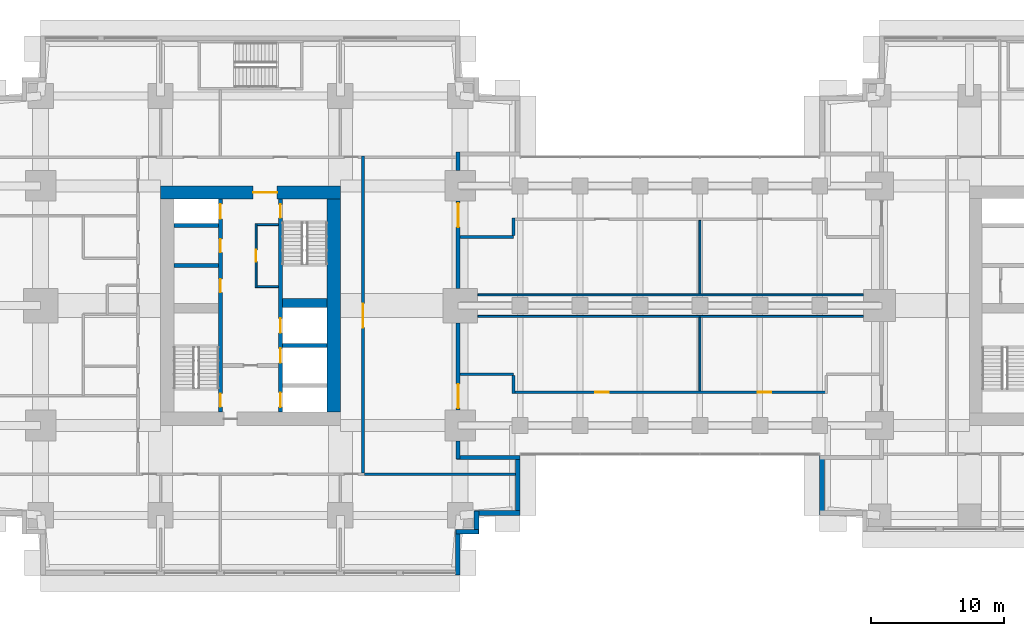
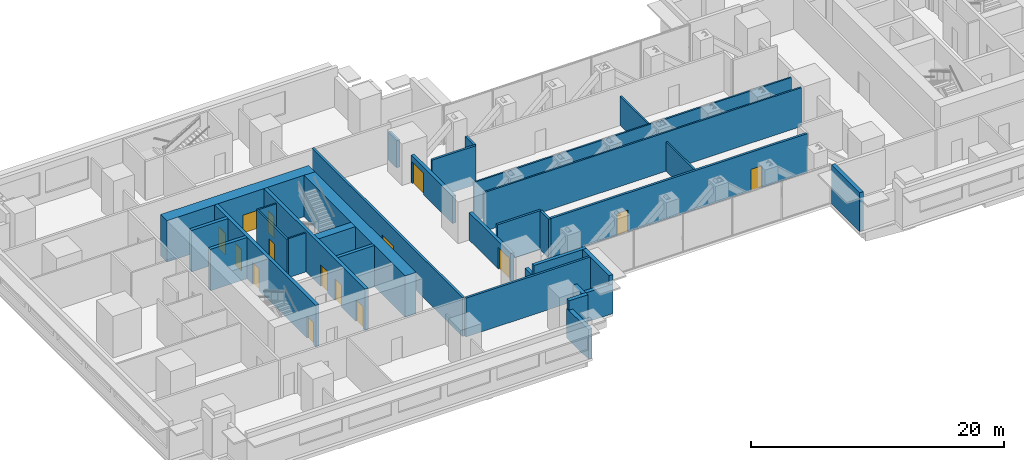
# One storey, part 8 of 16: 33 walls, 15 doors, 15 openings.
"""IFC4 building model written with IfcOpenShell, lengths in metres."""

from ifc_helpers import new_model, si_unit, direction, frame, frame_2d, origin, place, context, subcontext, project, spatial, rectangle, extrude, material, layer, layer_set, type_object, element, fill, save


model = new_model("IFC4")

# Units and contexts
model_context = context("Model", 3, precision=1e-05, world=origin(), true_north=direction((0.0, 1.0)))
body_context = subcontext(model_context, "Body", "Model", "MODEL_VIEW")
ifc_project = project(units=[si_unit("LENGTHUNIT", "METRE"), si_unit("AREAUNIT", "SQUARE_METRE"), si_unit("VOLUMEUNIT", "CUBIC_METRE"), si_unit("PLANEANGLEUNIT", "RADIAN"), si_unit("MASSUNIT", "GRAM", prefix="KILO")], contexts=[model_context])

# Site, building, storey
site_placement = place(None, origin())
site = spatial("IfcSite", under=ifc_project, at=site_placement, CompositionType="ELEMENT")
building_placement = place(site_placement, origin())
building = spatial("IfcBuilding", under=site, at=building_placement, Name="Namib Vertical Campus", CompositionType="ELEMENT")
storey_placement = place(building_placement, frame((0.0, 0.0, 129.0)))
storey = spatial("IfcBuildingStorey", under=building, at=storey_placement, Name="L30", CompositionType="ELEMENT", Elevation=129.0)

# Wall, openings, doors
ifc_material_1 = material(Name="Concrete C60/75", Category="concrete")
ifc_layer_1 = layer(ifc_material_1, 0.300048828125)
ifc_layer_set_1 = layer_set([ifc_layer_1], Name="Concrete C60/75")
wall_type_1 = type_object("IfcWallType", Name="Core inner wall 300", PredefinedType="SHEAR", material=ifc_layer_set_1)
wall_1_placement = place(storey_placement, frame((18.0, 12.25, 0.0), z_axis=(0.0, 0.0, 1.0), x_axis=(0.0, 1.0, 0.0)))
wall_1 = element("IfcWall", 1, at=wall_1_placement, inside=storey, type_object=wall_type_1, Name="Core inner wall A L30 W1", PredefinedType="SHEAR", context=body_context, shape_type="SweptSolid", body=[
    extrude(rectangle(XDim=16.0, YDim=0.300048828125, at=frame_2d((8.0, 0.0))), origin(), (0.0, 0.0, 1.0), 4.0),
])
opening_1_placement = place(wall_1_placement, frame((0.39990234375, 0.0, 0.0)))
opening_1 = element("IfcOpeningElement", 2, at=opening_1_placement, cuts=wall_1, Name="Opening FD1", PredefinedType="OPENING", context=body_context, shape_type="SweptSolid", body=[
    extrude(rectangle(XDim=1.0, YDim=2.10009765625, at=frame_2d((0.5, 1.050048828125))), frame((0.0, 0.159912109375, 0.0), z_axis=(0.0, -1.0, 0.0), x_axis=(1.0, 0.0, 0.0)), (0.0, 0.0, 1.0), 0.320068359375),
])
opening_2_placement = place(wall_1_placement, frame((14.52490234375, 0.0, 0.0)))
opening_2 = element("IfcOpeningElement", 3, at=opening_2_placement, cuts=wall_1, Name="Opening LD1", PredefinedType="OPENING", context=body_context, shape_type="SweptSolid", body=[
    extrude(rectangle(XDim=1.10009765625, YDim=2.10009765625, at=frame_2d((0.550048828125, 1.050048828125))), frame((0.0, 0.159912109375, 0.0), z_axis=(0.0, -1.0, 0.0), x_axis=(1.0, 0.0, 0.0)), (0.0, 0.0, 1.0), 0.320068359375),
])
opening_3_placement = place(wall_1_placement, frame((9.0, 0.0, 0.0)))
opening_3 = element("IfcOpeningElement", 4, at=opening_3_placement, cuts=wall_1, Name="Opening D1", PredefinedType="OPENING", context=body_context, shape_type="SweptSolid", body=[
    extrude(rectangle(XDim=1.0, YDim=2.10009765625, at=frame_2d((0.5, 1.050048828125))), frame((0.0, 0.159912109375, 0.0), z_axis=(0.0, -1.0, 0.0), x_axis=(1.0, 0.0, 0.0)), (0.0, 0.0, 1.0), 0.320068359375),
])
opening_4_placement = place(wall_1_placement, frame((12.0, 0.0, 0.0)))
opening_4 = element("IfcOpeningElement", 5, at=opening_4_placement, cuts=wall_1, Name="Opening D1", PredefinedType="OPENING", context=body_context, shape_type="SweptSolid", body=[
    extrude(rectangle(XDim=1.0, YDim=2.10009765625, at=frame_2d((0.5, 1.050048828125))), frame((0.0, 0.159912109375, 0.0), z_axis=(0.0, -1.0, 0.0), x_axis=(1.0, 0.0, 0.0)), (0.0, 0.0, 1.0), 0.320068359375),
])
ifc_material_2 = material(Name="Timber door leaf", Category="wood")
door_type_1 = type_object("IfcDoorType", Name="Door single 1000x2100", OperationType="SINGLE_SWING_LEFT", PredefinedType="DOOR", material=ifc_material_2)
door_1_placement = place(opening_3_placement, origin())
door_1 = element("IfcDoor", 6, at=door_1_placement, inside=storey, type_object=door_type_1, Name="Door D1 Store A L30 P1", OperationType="SINGLE_SWING_LEFT", OverallHeight=2.10009765625, OverallWidth=1.0, PredefinedType="DOOR", context=body_context, shape_type="SweptSolid", body=[
    extrude(rectangle(XDim=1.0, YDim=2.10009765625, at=frame_2d((0.5, 1.050048828125))), frame((0.0, 0.02490234375, 0.0), z_axis=(0.0, -1.0, 0.0), x_axis=(1.0, 0.0, 0.0)), (0.0, 0.0, 1.0), 0.050048828125),
])
fill(opening_3, door_1)
door_2_placement = place(opening_4_placement, origin())
door_2 = element("IfcDoor", 7, at=door_2_placement, inside=storey, type_object=door_type_1, Name="Door D1 Comms room A L30 P2", OperationType="SINGLE_SWING_LEFT", OverallHeight=2.10009765625, OverallWidth=1.0, PredefinedType="DOOR", context=body_context, shape_type="SweptSolid", body=[
    extrude(rectangle(XDim=1.0, YDim=2.10009765625, at=frame_2d((0.5, 1.050048828125))), frame((0.0, 0.02490234375, 0.0), z_axis=(0.0, -1.0, 0.0), x_axis=(1.0, 0.0, 0.0)), (0.0, 0.0, 1.0), 0.050048828125),
])
fill(opening_4, door_2)
ifc_material_3 = material(Name="Steel fire door", Category="steel")
door_type_2 = type_object("IfcDoorType", Name="Fire door 1000x2100", OperationType="SINGLE_SWING_RIGHT", PredefinedType="DOOR", material=ifc_material_3)
door_3_placement = place(opening_1_placement, origin())
door_3 = element("IfcDoor", 8, at=door_3_placement, inside=storey, type_object=door_type_2, Name="Stair door FD1 A L30 S1", OperationType="SINGLE_SWING_LEFT", OverallHeight=2.10009765625, OverallWidth=1.0, PredefinedType="DOOR", context=body_context, shape_type="SweptSolid", body=[
    extrude(rectangle(XDim=1.0, YDim=2.10009765625, at=frame_2d((0.5, 1.050048828125))), frame((0.0, 0.02490234375, 0.0), z_axis=(0.0, -1.0, 0.0), x_axis=(1.0, 0.0, 0.0)), (0.0, 0.0, 1.0), 0.050048828125),
])
fill(opening_1, door_3)
ifc_material_4 = material(Name="Stainless steel lift door", Category="steel")
door_type_3 = type_object("IfcDoorType", Name="Lift landing door 1100x2100", OperationType="DOUBLE_DOOR_SLIDING", PredefinedType="DOOR", material=ifc_material_4)
door_4_placement = place(opening_2_placement, origin())
door_4 = element("IfcDoor", 9, at=door_4_placement, inside=storey, type_object=door_type_3, Name="Lift landing door LD1 A-P3 L30", OperationType="DOUBLE_DOOR_SLIDING", OverallHeight=2.10009765625, OverallWidth=1.10009765625, PredefinedType="DOOR", context=body_context, shape_type="SweptSolid", body=[
    extrude(rectangle(XDim=1.10009765625, YDim=2.10009765625, at=frame_2d((0.550048828125, 1.050048828125))), frame((0.0, 0.02490234375, 0.0), z_axis=(0.0, -1.0, 0.0), x_axis=(1.0, 0.0, 0.0)), (0.0, 0.0, 1.0), 0.050048828125),
])
fill(opening_2, door_4)

wall_2_placement = place(storey_placement, frame((22.5, 12.25, 0.0), z_axis=(0.0, 0.0, 1.0), x_axis=(0.0, 1.0, 0.0)))
wall_2 = element("IfcWall", 10, at=wall_2_placement, inside=storey, type_object=wall_type_1, Name="Core inner wall A L30 W2", PredefinedType="SHEAR", context=body_context, shape_type="SweptSolid", body=[
    extrude(rectangle(XDim=16.0, YDim=0.300048828125, at=frame_2d((8.0, 0.0))), origin(), (0.0, 0.0, 1.0), 4.0),
])
opening_5_placement = place(wall_2_placement, frame((14.60009765625, 0.0, 0.0)))
opening_5 = element("IfcOpeningElement", 11, at=opening_5_placement, cuts=wall_2, Name="Opening FD1", PredefinedType="OPENING", context=body_context, shape_type="SweptSolid", body=[
    extrude(rectangle(XDim=1.0, YDim=2.10009765625, at=frame_2d((0.5, 1.050048828125))), frame((0.0, 0.159912109375, 0.0), z_axis=(0.0, -1.0, 0.0), x_axis=(1.0, 0.0, 0.0)), (0.0, 0.0, 1.0), 0.320068359375),
])
opening_6_placement = place(wall_2_placement, frame((0.375, 0.0, 0.0)))
opening_6 = element("IfcOpeningElement", 12, at=opening_6_placement, cuts=wall_2, Name="Opening LD1", PredefinedType="OPENING", context=body_context, shape_type="SweptSolid", body=[
    extrude(rectangle(XDim=1.10009765625, YDim=2.10009765625, at=frame_2d((0.550048828125, 1.050048828125))), frame((0.0, 0.159912109375, 0.0), z_axis=(0.0, -1.0, 0.0), x_axis=(1.0, 0.0, 0.0)), (0.0, 0.0, 1.0), 0.320068359375),
])
opening_7_placement = place(wall_2_placement, frame((3.699951171875, 0.0, 0.0)))
opening_7 = element("IfcOpeningElement", 13, at=opening_7_placement, cuts=wall_2, Name="Opening LD1", PredefinedType="OPENING", context=body_context, shape_type="SweptSolid", body=[
    extrude(rectangle(XDim=1.10009765625, YDim=2.10009765625, at=frame_2d((0.550048828125, 1.050048828125))), frame((0.0, 0.159912109375, 0.0), z_axis=(0.0, -1.0, 0.0), x_axis=(1.0, 0.0, 0.0)), (0.0, 0.0, 1.0), 0.320068359375),
])
opening_8_placement = place(wall_2_placement, frame((5.949951171875, 0.0, 0.0)))
opening_8 = element("IfcOpeningElement", 14, at=opening_8_placement, cuts=wall_2, Name="Opening LD1", PredefinedType="OPENING", context=body_context, shape_type="SweptSolid", body=[
    extrude(rectangle(XDim=1.10009765625, YDim=2.10009765625, at=frame_2d((0.550048828125, 1.050048828125))), frame((0.0, 0.159912109375, 0.0), z_axis=(0.0, -1.0, 0.0), x_axis=(1.0, 0.0, 0.0)), (0.0, 0.0, 1.0), 0.320068359375),
])
door_5_placement = place(opening_5_placement, frame((1.0, 0.0, 0.0), z_axis=(0.0, 0.0, 1.0), x_axis=(-1.0, 0.0, 0.0)))
door_5 = element("IfcDoor", 15, at=door_5_placement, inside=storey, type_object=door_type_2, Name="Stair door FD1 A L30 S2", OperationType="SINGLE_SWING_LEFT", OverallHeight=2.10009765625, OverallWidth=1.0, PredefinedType="DOOR", context=body_context, shape_type="SweptSolid", body=[
    extrude(rectangle(XDim=1.0, YDim=2.10009765625, at=frame_2d((0.5, 1.050048828125))), frame((0.0, 0.02490234375, 0.0), z_axis=(0.0, -1.0, 0.0), x_axis=(1.0, 0.0, 0.0)), (0.0, 0.0, 1.0), 0.050048828125),
])
fill(opening_5, door_5)
door_6_placement = place(opening_6_placement, origin())
door_6 = element("IfcDoor", 16, at=door_6_placement, inside=storey, type_object=door_type_3, Name="Lift landing door LD1 A-FL1 L30", OperationType="DOUBLE_DOOR_SLIDING", OverallHeight=2.10009765625, OverallWidth=1.10009765625, PredefinedType="DOOR", context=body_context, shape_type="SweptSolid", body=[
    extrude(rectangle(XDim=1.10009765625, YDim=2.10009765625, at=frame_2d((0.550048828125, 1.050048828125))), frame((0.0, 0.02490234375, 0.0), z_axis=(0.0, -1.0, 0.0), x_axis=(1.0, 0.0, 0.0)), (0.0, 0.0, 1.0), 0.050048828125),
])
fill(opening_6, door_6)
door_7_placement = place(opening_7_placement, origin())
door_7 = element("IfcDoor", 17, at=door_7_placement, inside=storey, type_object=door_type_3, Name="Lift landing door LD1 A-P4 L30", OperationType="DOUBLE_DOOR_SLIDING", OverallHeight=2.10009765625, OverallWidth=1.10009765625, PredefinedType="DOOR", context=body_context, shape_type="SweptSolid", body=[
    extrude(rectangle(XDim=1.10009765625, YDim=2.10009765625, at=frame_2d((0.550048828125, 1.050048828125))), frame((0.0, 0.02490234375, 0.0), z_axis=(0.0, -1.0, 0.0), x_axis=(1.0, 0.0, 0.0)), (0.0, 0.0, 1.0), 0.050048828125),
])
fill(opening_7, door_7)
door_8_placement = place(opening_8_placement, origin())
door_8 = element("IfcDoor", 18, at=door_8_placement, inside=storey, type_object=door_type_3, Name="Lift landing door LD1 A-P5 L30", OperationType="DOUBLE_DOOR_SLIDING", OverallHeight=2.10009765625, OverallWidth=1.10009765625, PredefinedType="DOOR", context=body_context, shape_type="SweptSolid", body=[
    extrude(rectangle(XDim=1.10009765625, YDim=2.10009765625, at=frame_2d((0.550048828125, 1.050048828125))), frame((0.0, 0.02490234375, 0.0), z_axis=(0.0, -1.0, 0.0), x_axis=(1.0, 0.0, 0.0)), (0.0, 0.0, 1.0), 0.050048828125),
])
fill(opening_8, door_8)

# Walls
for number, where, z_axis, x_axis, name in (
    (19, (22.64990234375, 17.25, 0.0), (0.0, 0.0, 1.0), (1.0, 0.0, 0.0), "Core inner wall A L30 W6"),
    (20, (14.5, 23.25, 0.0), (0.0, 0.0, 1.0), (1.0, 0.0, 0.0), "Core inner wall A L30 W8"),
    (21, (14.5, 26.25, 0.0), (0.0, 0.0, 1.0), (1.0, 0.0, 0.0), "Core inner wall A L30 W9"),
):
    element("IfcWall", number, at=place(storey_placement, frame(where, z_axis=z_axis, x_axis=x_axis)), inside=storey, type_object=wall_type_1, Name=name, PredefinedType="SHEAR", context=body_context, shape_type="SweptSolid", body=[
        extrude(rectangle(XDim=3.35009765625, YDim=0.300048828125, at=frame_2d((1.675048828125, 0.0))), origin(), (0.0, 0.0, 1.0), 4.0),
    ])
ifc_material_5 = material(Name="Concrete C60/75", Category="concrete")
ifc_layer_2 = layer(ifc_material_5, 0.699951171875)
ifc_layer_set_2 = layer_set([ifc_layer_2], Name="Concrete C60/75")
wall_type_2 = type_object("IfcWallType", Name="Core shear wall 700", PredefinedType="SHEAR", material=ifc_layer_set_2)
wall_3_placement = place(storey_placement, frame((22.64990234375, 20.449951171875, 0.0), z_axis=(0.0, 0.0, 1.0), x_axis=(1.0, 0.0, 0.0)))
element("IfcWall", 22, at=wall_3_placement, inside=storey, type_object=wall_type_2, Name="Core shear wall A L30 W7", PredefinedType="SHEAR", context=body_context, shape_type="SweptSolid", body=[
    extrude(rectangle(XDim=3.35009765625, YDim=0.699951171875, at=frame_2d((1.675048828125, 0.0))), origin(), (0.0, 0.0, 1.0), 4.0),
])
ifc_material_6 = material(Name="Concrete C60/75", Category="concrete")
ifc_layer_3 = layer(ifc_material_6, 1.0)
ifc_layer_set_3 = layer_set([ifc_layer_3], Name="Concrete C60/75")
wall_type_3 = type_object("IfcWallType", Name="Core wall 1000", PredefinedType="SHEAR", material=ifc_layer_set_3)
wall_4_placement = place(storey_placement, frame((26.5, 12.25, 0.0), z_axis=(0.0, 0.0, 1.0), x_axis=(0.0, 1.0, 0.0)))
element("IfcWall", 23, at=wall_4_placement, inside=storey, type_object=wall_type_3, Name="Core wall A L30 2", PredefinedType="SHEAR", context=body_context, shape_type="SweptSolid", body=[
    extrude(rectangle(XDim=16.0, YDim=1.0, at=frame_2d((8.0, 0.0))), origin(), (0.0, 0.0, 1.0), 4.0),
])

# Wall, opening, door
wall_5_placement = place(storey_placement, frame((27.0, 28.75, 0.0), z_axis=(0.0, 0.0, 1.0), x_axis=(-1.0, 0.0, 0.0)))
wall_5 = element("IfcWall", 24, at=wall_5_placement, inside=storey, type_object=wall_type_3, Name="Core wall A L30 3", PredefinedType="SHEAR", context=body_context, shape_type="SweptSolid", body=[
    extrude(rectangle(XDim=13.5, YDim=1.0, at=frame_2d((6.75, 0.0))), origin(), (0.0, 0.0, 1.0), 4.0),
])
opening_9_placement = place(wall_5_placement, frame((4.75, 0.0, 0.0)))
opening_9 = element("IfcOpeningElement", 25, at=opening_9_placement, cuts=wall_5, Name="Opening FD2", PredefinedType="OPENING", context=body_context, shape_type="SweptSolid", body=[
    extrude(rectangle(XDim=1.800048828125, YDim=2.10009765625, at=frame_2d((0.89990234375, 1.050048828125))), frame((0.0, 0.510009765625, 0.0), z_axis=(0.0, -1.0, 0.0), x_axis=(1.0, 0.0, 0.0)), (0.0, 0.0, 1.0), 1.02001953125),
])
ifc_material_7 = material(Name="Steel fire door", Category="steel")
door_type_4 = type_object("IfcDoorType", Name="Fire door double 1800x2100", OperationType="DOUBLE_DOOR_SINGLE_SWING", PredefinedType="DOOR", material=ifc_material_7)
door_9_placement = place(opening_9_placement, origin())
door_9 = element("IfcDoor", 26, at=door_9_placement, inside=storey, type_object=door_type_4, Name="Lift lobby door FD2 A L30", OperationType="DOUBLE_DOOR_SINGLE_SWING", OverallHeight=2.10009765625, OverallWidth=1.800048828125, PredefinedType="DOOR", context=body_context, shape_type="SweptSolid", body=[
    extrude(rectangle(XDim=1.800048828125, YDim=2.10009765625, at=frame_2d((0.89990234375, 1.050048828125))), frame((0.0, 0.02490234375, 0.0), z_axis=(0.0, -1.0, 0.0), x_axis=(1.0, 0.0, 0.0)), (0.0, 0.0, 1.0), 0.050048828125),
])
fill(opening_9, door_9)

ifc_material_8 = material(Name="Concrete masonry", Category="masonry")
ifc_layer_4 = layer(ifc_material_8, 0.199951171875)
ifc_layer_set_4 = layer_set([ifc_layer_4], Name="Corridor wall 200")
wall_type_4 = type_object("IfcWallType", Name="Corridor wall 200", PredefinedType="SOLIDWALL", material=ifc_layer_set_4)
wall_6_placement = place(storey_placement, frame((28.699951171875, 7.699951171875, 0.0), z_axis=(0.0, 0.0, 1.0), x_axis=(0.0, 1.0, 0.0)))
wall_6 = element("IfcWall", 27, at=wall_6_placement, inside=storey, type_object=wall_type_4, Name="Corridor wall A L30 CE", PredefinedType="SOLIDWALL", context=body_context, shape_type="SweptSolid", body=[
    extrude(rectangle(XDim=23.800048828125, YDim=0.199951171875, at=frame_2d((11.89990234375, 0.0))), origin(), (0.0, 0.0, 1.0), 3.75),
])
opening_10_placement = place(wall_6_placement, frame((10.89990234375, 0.0, 0.0)))
opening_10 = element("IfcOpeningElement", 28, at=opening_10_placement, cuts=wall_6, Name="Opening FD2", PredefinedType="OPENING", context=body_context, shape_type="SweptSolid", body=[
    extrude(rectangle(XDim=1.800048828125, YDim=2.10009765625, at=frame_2d((0.89990234375, 1.050048828125))), frame((0.0, 0.10986328125, 0.0), z_axis=(0.0, -1.0, 0.0), x_axis=(1.0, 0.0, 0.0)), (0.0, 0.0, 1.0), 0.219970703125),
])
door_10_placement = place(opening_10_placement, origin())
door_10 = element("IfcDoor", 29, at=door_10_placement, inside=storey, type_object=door_type_4, Name="Door FD2 A30-05", OperationType="DOUBLE_DOOR_SINGLE_SWING", OverallHeight=2.10009765625, OverallWidth=1.800048828125, PredefinedType="DOOR", context=body_context, shape_type="SweptSolid", body=[
    extrude(rectangle(XDim=1.800048828125, YDim=2.10009765625, at=frame_2d((0.89990234375, 1.050048828125))), frame((0.0, 0.02490234375, 0.0), z_axis=(0.0, -1.0, 0.0), x_axis=(1.0, 0.0, 0.0)), (0.0, 0.0, 1.0), 0.050048828125),
])
fill(opening_10, door_10)

# Wall
wall_7_placement = place(storey_placement, frame((28.800048828125, 7.60009765625, 0.0), z_axis=(0.0, 0.0, 1.0), x_axis=(1.0, 0.0, 0.0)))
element("IfcWall", 30, at=wall_7_placement, inside=storey, type_object=wall_type_4, Name="Partition A L30 BSE", PredefinedType="SOLIDWALL", context=body_context, shape_type="SweptSolid", body=[
    extrude(rectangle(XDim=11.39990234375, YDim=0.199951171875, at=frame_2d((5.699951171875, 0.0))), origin(), (0.0, 0.0, 1.0), 3.75),
])

# Wall, openings, doors
wall_8_placement = place(storey_placement, frame((40.0, 13.75, 0.0), z_axis=(0.0, 0.0, 1.0), x_axis=(1.0, 0.0, 0.0)))
wall_8 = element("IfcWall", 31, at=wall_8_placement, inside=storey, type_object=wall_type_4, Name="Corridor wall L30", PredefinedType="SOLIDWALL", context=body_context, shape_type="SweptSolid", body=[
    extrude(rectangle(XDim=23.5, YDim=0.199951171875, at=frame_2d((11.75, 0.0))), origin(), (0.0, 0.0, 1.0), 3.75),
])
opening_11_placement = place(wall_8_placement, frame((6.14990234375, 0.0, 0.0)))
opening_11 = element("IfcOpeningElement", 32, at=opening_11_placement, cuts=wall_8, Name="Opening CD1", PredefinedType="OPENING", context=body_context, shape_type="SweptSolid", body=[
    extrude(rectangle(XDim=1.0, YDim=2.10009765625, at=frame_2d((0.5, 1.050048828125))), frame((0.0, 0.10986328125, 0.0), z_axis=(0.0, -1.0, 0.0), x_axis=(1.0, 0.0, 0.0)), (0.0, 0.0, 1.0), 0.219970703125),
])
opening_12_placement = place(wall_8_placement, frame((18.35009765625, 0.0, 0.0)))
opening_12 = element("IfcOpeningElement", 33, at=opening_12_placement, cuts=wall_8, Name="Opening CD1", PredefinedType="OPENING", context=body_context, shape_type="SweptSolid", body=[
    extrude(rectangle(XDim=1.0, YDim=2.10009765625, at=frame_2d((0.5, 1.050048828125))), frame((0.0, 0.10986328125, 0.0), z_axis=(0.0, -1.0, 0.0), x_axis=(1.0, 0.0, 0.0)), (0.0, 0.0, 1.0), 0.219970703125),
])
ifc_material_9 = material(Name="Timber fire door leaf", Category="wood")
door_type_5 = type_object("IfcDoorType", Name="Corridor door 1000x2100 20 min", OperationType="SINGLE_SWING_LEFT", PredefinedType="DOOR", material=ifc_material_9)
door_11_placement = place(opening_11_placement, origin())
door_11 = element("IfcDoor", 34, at=door_11_placement, inside=storey, type_object=door_type_5, Name="Door CD1 BR30-03", OperationType="SINGLE_SWING_LEFT", OverallHeight=2.10009765625, OverallWidth=1.0, PredefinedType="DOOR", context=body_context, shape_type="SweptSolid", body=[
    extrude(rectangle(XDim=1.0, YDim=2.10009765625, at=frame_2d((0.5, 1.050048828125))), frame((0.0, 0.02490234375, 0.0), z_axis=(0.0, -1.0, 0.0), x_axis=(1.0, 0.0, 0.0)), (0.0, 0.0, 1.0), 0.050048828125),
])
fill(opening_11, door_11)
door_12_placement = place(opening_12_placement, origin())
door_12 = element("IfcDoor", 35, at=door_12_placement, inside=storey, type_object=door_type_5, Name="Door CD1 BR30-04", OperationType="SINGLE_SWING_RIGHT", OverallHeight=2.10009765625, OverallWidth=1.0, PredefinedType="DOOR", context=body_context, shape_type="SweptSolid", body=[
    extrude(rectangle(XDim=1.0, YDim=2.10009765625, at=frame_2d((0.5, 1.050048828125))), frame((0.0, 0.02490234375, 0.0), z_axis=(0.0, -1.0, 0.0), x_axis=(1.0, 0.0, 0.0)), (0.0, 0.0, 1.0), 0.050048828125),
])
fill(opening_12, door_12)

# Walls
wall_9_placement = place(storey_placement, frame((36.0, 15.10009765625, 0.0), z_axis=(0.0, 0.0, 1.0), x_axis=(1.0, 0.0, 0.0)))
element("IfcWall", 36, at=wall_9_placement, inside=storey, type_object=wall_type_4, Name="Lobby wall L30 W", PredefinedType="SOLIDWALL", context=body_context, shape_type="SweptSolid", body=[
    extrude(rectangle(XDim=4.0, YDim=0.199951171875, at=frame_2d((2.0, 0.0))), origin(), (0.0, 0.0, 1.0), 3.75),
])
wall_10_placement = place(storey_placement, frame((40.0, 13.64990234375, 0.0), z_axis=(0.0, 0.0, 1.0), x_axis=(0.0, 1.0, 0.0)))
element("IfcWall", 37, at=wall_10_placement, inside=storey, type_object=wall_type_4, Name="Lobby side wall L30 W", PredefinedType="SOLIDWALL", context=body_context, shape_type="SweptSolid", body=[
    extrude(rectangle(XDim=1.35009765625, YDim=0.199951171875, at=frame_2d((0.675048828125, 0.0))), origin(), (0.0, 0.0, 1.0), 3.75),
])
wall_11_placement = place(storey_placement, frame((36.0, 25.39990234375, 0.0), z_axis=(0.0, 0.0, 1.0), x_axis=(1.0, 0.0, 0.0)))
element("IfcWall", 38, at=wall_11_placement, inside=storey, type_object=wall_type_4, Name="Lobby wall L30 NW", PredefinedType="SOLIDWALL", context=body_context, shape_type="SweptSolid", body=[
    extrude(rectangle(XDim=4.0, YDim=0.199951171875, at=frame_2d((2.0, 0.0))), origin(), (0.0, 0.0, 1.0), 3.75),
])
wall_12_placement = place(storey_placement, frame((40.0, 26.85009765625, 0.0), z_axis=(0.0, 0.0, 1.0), x_axis=(0.0, -1.0, 0.0)))
element("IfcWall", 39, at=wall_12_placement, inside=storey, type_object=wall_type_4, Name="Lobby side wall L30 NW", PredefinedType="SOLIDWALL", context=body_context, shape_type="SweptSolid", body=[
    extrude(rectangle(XDim=1.35009765625, YDim=0.199951171875, at=frame_2d((0.675048828125, 0.0))), origin(), (0.0, 0.0, 1.0), 3.75),
])
ifc_material_10 = material(Name="Concrete C40/50", Category="concrete")
ifc_layer_5 = layer(ifc_material_10, 0.35009765625)
ifc_layer_set_5 = layer_set([ifc_layer_5], Name="Concrete C40/50")
wall_type_5 = type_object("IfcWallType", Name="External wall 350 bush-hammered concrete", PredefinedType="STANDARD", material=ifc_layer_set_5)
wall_13_placement = place(storey_placement, frame((35.824951171875, 0.02001953125, 0.0), z_axis=(0.0, 0.0, 1.0), x_axis=(0.0, 1.0, 0.0)))
element("IfcWall", 40, at=wall_13_placement, inside=storey, type_object=wall_type_5, Name="External wall L30 F03", PredefinedType="STANDARD", context=body_context, shape_type="SweptSolid", body=[
    extrude(rectangle(XDim=3.409912109375, YDim=0.35009765625, at=frame_2d((1.705078125, 0.0))), origin(), (0.0, 0.0, 1.0), 2.85009765625),
])
for number, where, z_axis, x_axis, name in (
    (41, (35.669921875, 3.27490234375, 0.0), (0.0, 0.0, 1.0), (1.0, 0.0, 0.0), "External wall L30 F04"),
    (42, (37.22509765625, 3.1201171875, 0.0), (0.0, 0.0, 1.0), (0.0, 1.0, 0.0), "External wall L30 F05"),
):
    element("IfcWall", number, at=place(storey_placement, frame(where, z_axis=z_axis, x_axis=x_axis)), inside=storey, type_object=wall_type_5, Name=name, PredefinedType="STANDARD", context=body_context, shape_type="SweptSolid", body=[
        extrude(rectangle(XDim=1.7099609375, YDim=0.35009765625, at=frame_2d((0.85498046875, 0.0))), origin(), (0.0, 0.0, 1.0), 3.75),
    ])
wall_14_placement = place(storey_placement, frame((37.070068359375, 4.675048828125, 0.0), z_axis=(0.0, 0.0, 1.0), x_axis=(1.0, 0.0, 0.0)))
element("IfcWall", 43, at=wall_14_placement, inside=storey, type_object=wall_type_5, Name="External wall L30 F06", PredefinedType="STANDARD", context=body_context, shape_type="SweptSolid", body=[
    extrude(rectangle(XDim=3.409912109375, YDim=0.35009765625, at=frame_2d((1.705078125, 0.0))), origin(), (0.0, 0.0, 1.0), 2.85009765625),
])
for number, where, z_axis, x_axis, name in (
    (44, (40.324951171875, 4.52001953125, 0.0), (0.0, 0.0, 1.0), (0.0, 1.0, 0.0), "External wall L30 F07"),
    (45, (63.175048828125, 8.97998046875, 0.0), (0.0, 0.0, 1.0), (0.0, -1.0, 0.0), "External wall L30 F01"),
):
    element("IfcWall", number, at=place(storey_placement, frame(where, z_axis=z_axis, x_axis=x_axis)), inside=storey, type_object=wall_type_5, Name=name, PredefinedType="STANDARD", context=body_context, shape_type="SweptSolid", body=[
        extrude(rectangle(XDim=4.4599609375, YDim=0.35009765625, at=frame_2d((2.22998046875, 0.0))), origin(), (0.0, 0.0, 1.0), 3.75),
    ])
ifc_material_11 = material(Name="Concrete masonry", Category="masonry")
ifc_layer_6 = layer(ifc_material_11, 0.300048828125)
ifc_layer_set_6 = layer_set([ifc_layer_6], Name="Fire wall 300")
wall_type_6 = type_object("IfcWallType", Name="Fire wall 300", PredefinedType="SOLIDWALL", material=ifc_layer_set_6)
wall_15_placement = place(storey_placement, frame((40.47998046875, 8.85009765625, 0.0), z_axis=(0.0, 0.0, 1.0), x_axis=(-1.0, 0.0, 0.0)))
element("IfcWall", 46, at=wall_15_placement, inside=storey, type_object=wall_type_6, Name="External wall L30 F08", PredefinedType="SOLIDWALL", context=body_context, shape_type="SweptSolid", body=[
    extrude(rectangle(XDim=4.760009765625, YDim=0.300048828125, at=frame_2d((2.3798828125, 0.0))), origin(), (0.0, 0.0, 1.0), 3.75),
])
wall_16_placement = place(storey_placement, frame((35.85009765625, 8.719970703125, 0.0), z_axis=(0.0, 0.0, 1.0), x_axis=(0.0, 1.0, 0.0)))
element("IfcWall", 47, at=wall_16_placement, inside=storey, type_object=wall_type_6, Name="External wall L30 F09", PredefinedType="SOLIDWALL", context=body_context, shape_type="SweptSolid", body=[
    extrude(rectangle(XDim=1.380126953125, YDim=0.300048828125, at=frame_2d((0.68994140625, 0.0))), origin(), (0.0, 0.0, 1.0), 2.64990234375),
])

# Wall, opening, door
wall_17_placement = place(storey_placement, frame((35.85009765625, 12.39990234375, 0.0), z_axis=(0.0, 0.0, 1.0), x_axis=(0.0, 1.0, 0.0)))
wall_17 = element("IfcWall", 48, at=wall_17_placement, inside=storey, type_object=wall_type_6, Name="External wall L30 F09", PredefinedType="SOLIDWALL", context=body_context, shape_type="SweptSolid", body=[
    extrude(rectangle(XDim=6.550048828125, YDim=0.300048828125, at=frame_2d((3.27490234375, 0.0))), origin(), (0.0, 0.0, 1.0), 2.64990234375),
])
opening_13_placement = place(wall_17_placement, frame((0.14990234375, 0.0, 0.0)))
opening_13 = element("IfcOpeningElement", 49, at=opening_13_placement, cuts=wall_17, Name="Opening FD4", PredefinedType="OPENING", context=body_context, shape_type="SweptSolid", body=[
    extrude(rectangle(XDim=1.800048828125, YDim=2.10009765625, at=frame_2d((0.89990234375, 1.050048828125))), frame((0.0, 0.159912109375, 0.0), z_axis=(0.0, -1.0, 0.0), x_axis=(1.0, 0.0, 0.0)), (0.0, 0.0, 1.0), 0.320068359375),
])
ifc_material_12 = material(Name="Steel fire door", Category="steel")
door_type_6 = type_object("IfcDoorType", Name="Fire door double 1800x2100 120 min", OperationType="DOUBLE_DOOR_SINGLE_SWING", PredefinedType="DOOR", material=ifc_material_12)
door_13_placement = place(opening_13_placement, origin())
door_13 = element("IfcDoor", 50, at=door_13_placement, inside=storey, type_object=door_type_6, Name="Bridge fire door FD4 A L30", OperationType="DOUBLE_DOOR_SINGLE_SWING", OverallHeight=2.10009765625, OverallWidth=1.800048828125, PredefinedType="DOOR", context=body_context, shape_type="SweptSolid", body=[
    extrude(rectangle(XDim=1.800048828125, YDim=2.10009765625, at=frame_2d((0.89990234375, 1.050048828125))), frame((0.0, 0.02490234375, 0.0), z_axis=(0.0, -1.0, 0.0), x_axis=(1.0, 0.0, 0.0)), (0.0, 0.0, 1.0), 0.050048828125),
])
fill(opening_13, door_13)

wall_18_placement = place(storey_placement, frame((35.85009765625, 21.550048828125, 0.0), z_axis=(0.0, 0.0, 1.0), x_axis=(0.0, 1.0, 0.0)))
wall_18 = element("IfcWall", 51, at=wall_18_placement, inside=storey, type_object=wall_type_6, Name="External wall L30 F09", PredefinedType="SOLIDWALL", context=body_context, shape_type="SweptSolid", body=[
    extrude(rectangle(XDim=6.550048828125, YDim=0.300048828125, at=frame_2d((3.27490234375, 0.0))), origin(), (0.0, 0.0, 1.0), 2.64990234375),
])
opening_14_placement = place(wall_18_placement, frame((4.60009765625, 0.0, 0.0)))
opening_14 = element("IfcOpeningElement", 52, at=opening_14_placement, cuts=wall_18, Name="Opening FD4", PredefinedType="OPENING", context=body_context, shape_type="SweptSolid", body=[
    extrude(rectangle(XDim=1.800048828125, YDim=2.10009765625, at=frame_2d((0.89990234375, 1.050048828125))), frame((0.0, 0.159912109375, 0.0), z_axis=(0.0, -1.0, 0.0), x_axis=(1.0, 0.0, 0.0)), (0.0, 0.0, 1.0), 0.320068359375),
])
door_14_placement = place(opening_14_placement, origin())
door_14 = element("IfcDoor", 53, at=door_14_placement, inside=storey, type_object=door_type_6, Name="Bridge fire door FD4 A L30 north", OperationType="DOUBLE_DOOR_SINGLE_SWING", OverallHeight=2.10009765625, OverallWidth=1.800048828125, PredefinedType="DOOR", context=body_context, shape_type="SweptSolid", body=[
    extrude(rectangle(XDim=1.800048828125, YDim=2.10009765625, at=frame_2d((0.89990234375, 1.050048828125))), frame((0.0, 0.02490234375, 0.0), z_axis=(0.0, -1.0, 0.0), x_axis=(1.0, 0.0, 0.0)), (0.0, 0.0, 1.0), 0.050048828125),
])
fill(opening_14, door_14)

# Wall
wall_19_placement = place(storey_placement, frame((35.85009765625, 30.39990234375, 0.0), z_axis=(0.0, 0.0, 1.0), x_axis=(0.0, 1.0, 0.0)))
element("IfcWall", 54, at=wall_19_placement, inside=storey, type_object=wall_type_6, Name="External wall L30 F09", PredefinedType="SOLIDWALL", context=body_context, shape_type="SweptSolid", body=[
    extrude(rectangle(XDim=1.380126953125, YDim=0.300048828125, at=frame_2d((0.68994140625, 0.0))), origin(), (0.0, 0.0, 1.0), 2.64990234375),
])

# Wall, opening, door
ifc_material_13 = material(Name="Gypsum board on steel studs", Category="steel")
ifc_layer_7 = layer(ifc_material_13, 0.14990234375)
ifc_layer_set_7 = layer_set([ifc_layer_7], Name="Gypsum board on steel studs")
wall_type_7 = type_object("IfcWallType", Name="Partition 150", PredefinedType="PARTITIONING", material=ifc_layer_set_7)
wall_20_placement = place(storey_placement, frame((20.675048828125, 21.60009765625, 0.0), z_axis=(0.0, 0.0, 1.0), x_axis=(0.0, 1.0, 0.0)))
wall_20 = element("IfcWall", 55, at=wall_20_placement, inside=storey, type_object=wall_type_7, Name="Partition A L30 Staff pantry front", PredefinedType="PARTITIONING", context=body_context, shape_type="SweptSolid", body=[
    extrude(rectangle(XDim=4.7998046875, YDim=0.14990234375, at=frame_2d((2.39990234375, 0.0))), origin(), (0.0, 0.0, 1.0), 3.75),
])
opening_15_placement = place(wall_20_placement, frame((1.949951171875, 0.0, 0.0)))
opening_15 = element("IfcOpeningElement", 56, at=opening_15_placement, cuts=wall_20, Name="Opening D3", PredefinedType="OPENING", context=body_context, shape_type="SweptSolid", body=[
    extrude(rectangle(XDim=0.89990234375, YDim=2.10009765625, at=frame_2d((0.449951171875, 1.050048828125))), frame((0.0, 0.0849609375, 0.0), z_axis=(0.0, -1.0, 0.0), x_axis=(1.0, 0.0, 0.0)), (0.0, 0.0, 1.0), 0.169921875),
])
ifc_material_14 = material(Name="Timber door leaf", Category="wood")
door_type_7 = type_object("IfcDoorType", Name="Toilet door 900x2100", OperationType="SINGLE_SWING_LEFT", PredefinedType="DOOR", material=ifc_material_14)
door_15_placement = place(opening_15_placement, frame((0.89990234375, 0.0, 0.0), z_axis=(0.0, 0.0, 1.0), x_axis=(-1.0, 0.0, 0.0)))
door_15 = element("IfcDoor", 57, at=door_15_placement, inside=storey, type_object=door_type_7, Name="Door D3 Staff pantry A L30", OperationType="SINGLE_SWING_RIGHT", OverallHeight=2.10009765625, OverallWidth=0.89990234375, PredefinedType="DOOR", context=body_context, shape_type="SweptSolid", body=[
    extrude(rectangle(XDim=0.89990234375, YDim=2.10009765625, at=frame_2d((0.449951171875, 1.050048828125))), frame((0.0, 0.02490234375, 0.0), z_axis=(0.0, -1.0, 0.0), x_axis=(1.0, 0.0, 0.0)), (0.0, 0.0, 1.0), 0.050048828125),
])
fill(opening_15, door_15)

# Walls
for number, where, z_axis, x_axis, name in (
    (58, (20.75, 21.675048828125, 0.0), (0.0, 0.0, 1.0), (1.0, 0.0, 0.0), "Partition A L30 Staff pantry end 1"),
    (59, (20.75, 26.324951171875, 0.0), (0.0, 0.0, 1.0), (1.0, 0.0, 0.0), "Partition A L30 Staff pantry end 2"),
):
    element("IfcWall", number, at=place(storey_placement, frame(where, z_axis=z_axis, x_axis=x_axis)), inside=storey, type_object=wall_type_7, Name=name, PredefinedType="PARTITIONING", context=body_context, shape_type="SweptSolid", body=[
        extrude(rectangle(XDim=1.60009765625, YDim=0.14990234375, at=frame_2d((0.800048828125, 0.0))), origin(), (0.0, 0.0, 1.0), 3.75),
    ])
for number, where, z_axis, x_axis, name in (
    (60, (37.320068359375, 19.449951171875, 0.0), (0.0, 0.0, 1.0), (1.0, 0.0, 0.0), "Spine wall L30 S"),
    (61, (37.320068359375, 21.050048828125, 0.0), (0.0, 0.0, 1.0), (1.0, 0.0, 0.0), "Spine wall L30 N"),
):
    element("IfcWall", number, at=place(storey_placement, frame(where, z_axis=z_axis, x_axis=x_axis)), inside=storey, type_object=wall_type_7, Name=name, PredefinedType="PARTITIONING", context=body_context, shape_type="SweptSolid", body=[
        extrude(rectangle(XDim=28.9599609375, YDim=0.14990234375, at=frame_2d((14.47998046875, 0.0))), origin(), (0.0, 0.0, 1.0), 3.75),
    ])
for number, where, z_axis, x_axis, name in (
    (62, (54.0, 13.85009765625, 0.0), (0.0, 0.0, 1.0), (0.0, 1.0, 0.0), "Partition bridge L30 S1"),
    (63, (54.0, 26.64990234375, 0.0), (0.0, 0.0, 1.0), (0.0, -1.0, 0.0), "Partition bridge L30 N1"),
):
    element("IfcWall", number, at=place(storey_placement, frame(where, z_axis=z_axis, x_axis=x_axis)), inside=storey, type_object=wall_type_7, Name=name, PredefinedType="PARTITIONING", context=body_context, shape_type="SweptSolid", body=[
        extrude(rectangle(XDim=5.52490234375, YDim=0.14990234375, at=frame_2d((2.762451171875, 0.0))), origin(), (0.0, 0.0, 1.0), 2.82958984375),
    ])

save(model, "model.ifc")
